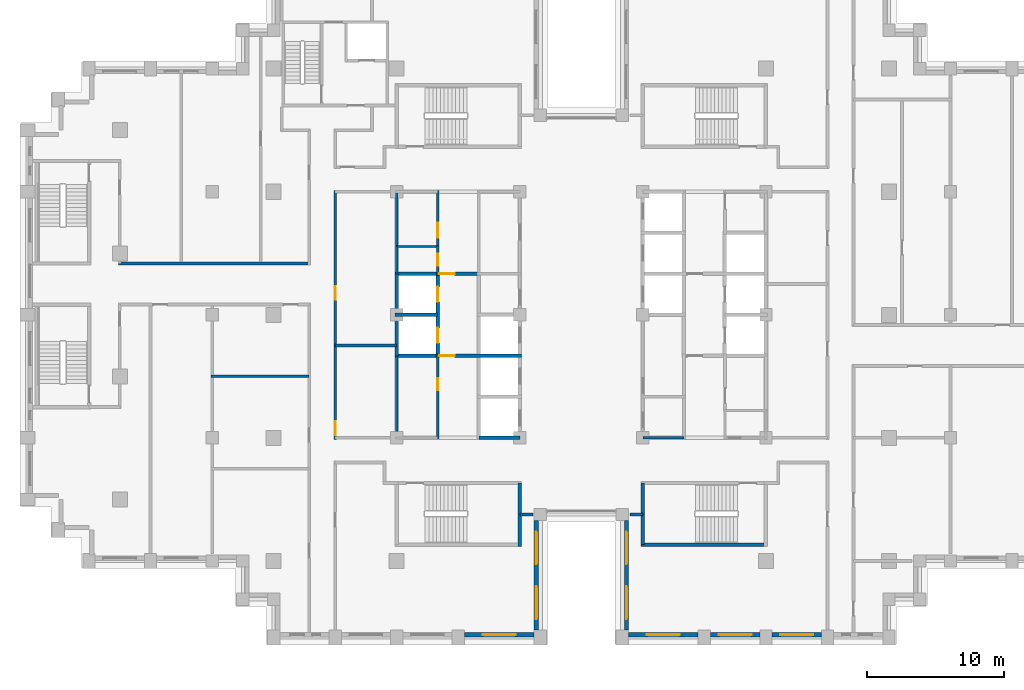
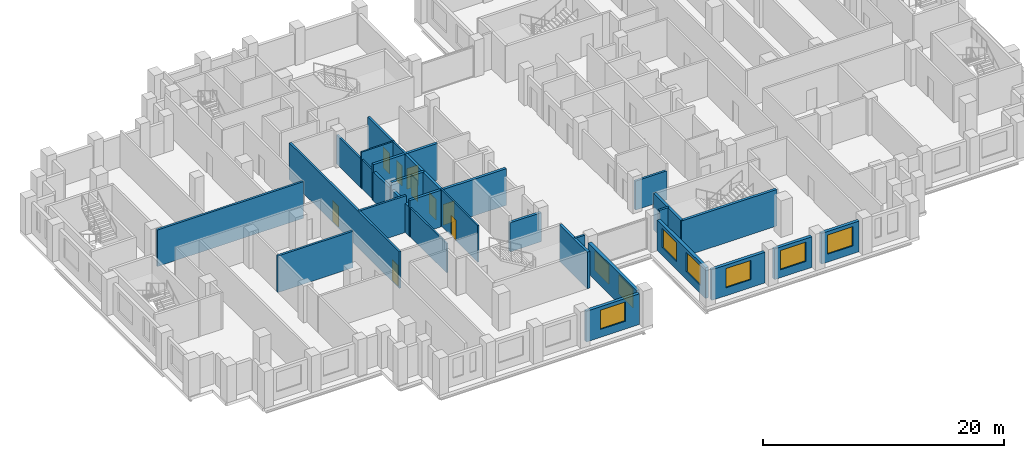
# One storey, part 7 of 16: 29 walls, 9 doors, 8 windows, 17 openings.
"""IFC4 building model written with IfcOpenShell, lengths in metres."""

from ifc_helpers import new_model, si_unit, direction, frame, frame_2d, origin, place, context, subcontext, project, spatial, rectangle, extrude, material, layer, layer_set, type_object, element, fill, save


model = new_model("IFC4")

# Units and contexts
model_context = context("Model", 3, precision=1e-05, world=origin(), true_north=direction((0.0, 1.0)))
body_context = subcontext(model_context, "Body", "Model", "MODEL_VIEW")
ifc_project = project(units=[si_unit("LENGTHUNIT", "METRE"), si_unit("AREAUNIT", "SQUARE_METRE"), si_unit("VOLUMEUNIT", "CUBIC_METRE"), si_unit("PLANEANGLEUNIT", "RADIAN"), si_unit("MASSUNIT", "GRAM", prefix="KILO")], contexts=[model_context])

# Site, building, storey
site_placement = place(None, origin())
site = spatial("IfcSite", under=ifc_project, at=site_placement, CompositionType="ELEMENT")
building_placement = place(site_placement, origin())
building = spatial("IfcBuilding", under=site, at=building_placement, Name="Corbelhall Arena Tower", CompositionType="ELEMENT")
storey_placement = place(building_placement, frame((0.0, 0.0, 158.0)))
storey = spatial("IfcBuildingStorey", under=building, at=storey_placement, Name="L31", CompositionType="ELEMENT", Elevation=158.0)

# Wall, opening, window
ifc_material_1 = material(Name="Precast concrete C40/50 with granite facing", Category="masonry")
ifc_layer_1 = layer(ifc_material_1, 0.300048828125)
ifc_layer_set_1 = layer_set([ifc_layer_1], Name="EV-IW1 Infill panel 300")
wall_type_1 = type_object("IfcWallType", Name="EV-IW1 Infill panel 300", PredefinedType="SOLIDWALL", material=ifc_layer_set_1)
wall_1_placement = place(storey_placement, frame((-8.550048828125, -23.39990234375, 0.0), z_axis=(0.0, 0.0, 1.0), x_axis=(1.0, 0.0, 0.0)))
wall_1 = element("IfcWall", 1, at=wall_1_placement, inside=storey, type_object=wall_type_1, Name="Infill panel IW1", PredefinedType="SOLIDWALL", context=body_context, shape_type="SweptSolid", body=[
    extrude(rectangle(XDim=5.10009765625, YDim=0.300048828125, at=frame_2d((2.550048828125, 0.0))), origin(), (0.0, 0.0, 1.0), 3.10009765625),
])
opening_1_placement = place(wall_1_placement, frame((1.35009765625, 0.0, 0.800048828125)))
opening_1 = element("IfcOpeningElement", 2, at=opening_1_placement, cuts=wall_1, Name="Opening WN1", PredefinedType="OPENING", context=body_context, shape_type="SweptSolid", body=[
    extrude(rectangle(XDim=2.39990234375, YDim=1.949951171875, at=frame_2d((1.199951171875, 0.97509765625))), frame((0.0, 0.14990234375, 0.0), z_axis=(0.0, -1.0, 0.0), x_axis=(1.0, 0.0, 0.0)), (0.0, 0.0, 1.0), 0.300048828125),
])
ifc_material_2 = material(Name="Aluminium black anodised", Category="aluminium")
window_type = type_object("IfcWindowType", Name="EV-WN1 Office window", PartitioningType="SINGLE_PANEL", PredefinedType="WINDOW", material=ifc_material_2)
window_1_placement = place(opening_1_placement, origin())
window_1 = element("IfcWindow", 3, at=window_1_placement, inside=storey, type_object=window_type, Name="Window WN1", OverallHeight=1.949951171875, OverallWidth=2.39990234375, PartitioningType="SINGLE_PANEL", PredefinedType="WINDOW", context=body_context, shape_type="SweptSolid", body=[
    extrude(rectangle(XDim=2.39990234375, YDim=1.949951171875, at=frame_2d((1.199951171875, 0.97509765625))), frame((0.0, 0.030029296875, 0.0), z_axis=(0.0, -1.0, 0.0), x_axis=(1.0, 0.0, 0.0)), (0.0, 0.0, 1.0), 0.06005859375),
])
fill(opening_1, window_1)

# Wall, openings, windows
wall_2_placement = place(storey_placement, frame((-3.300048828125, -23.050048828125, 0.0), z_axis=(0.0, 0.0, 1.0), x_axis=(0.0, 1.0, 0.0)))
wall_2 = element("IfcWall", 4, at=wall_2_placement, inside=storey, type_object=wall_type_1, Name="Infill panel IW1", PredefinedType="SOLIDWALL", context=body_context, shape_type="SweptSolid", body=[
    extrude(rectangle(XDim=8.0, YDim=0.300048828125, at=frame_2d((4.0, 0.0))), origin(), (0.0, 0.0, 1.0), 3.10009765625),
])
opening_2_placement = place(wall_2_placement, frame((0.800048828125, 0.0, 0.800048828125)))
opening_2 = element("IfcOpeningElement", 5, at=opening_2_placement, cuts=wall_2, Name="Opening WN1", PredefinedType="OPENING", context=body_context, shape_type="SweptSolid", body=[
    extrude(rectangle(XDim=2.39990234375, YDim=1.949951171875, at=frame_2d((1.199951171875, 0.97509765625))), frame((0.0, 0.14990234375, 0.0), z_axis=(0.0, -1.0, 0.0), x_axis=(1.0, 0.0, 0.0)), (0.0, 0.0, 1.0), 0.300048828125),
])
opening_3_placement = place(wall_2_placement, frame((4.800048828125, 0.0, 0.800048828125)))
opening_3 = element("IfcOpeningElement", 6, at=opening_3_placement, cuts=wall_2, Name="Opening WN1", PredefinedType="OPENING", context=body_context, shape_type="SweptSolid", body=[
    extrude(rectangle(XDim=2.39990234375, YDim=1.949951171875, at=frame_2d((1.199951171875, 0.97509765625))), frame((0.0, 0.14990234375, 0.0), z_axis=(0.0, -1.0, 0.0), x_axis=(1.0, 0.0, 0.0)), (0.0, 0.0, 1.0), 0.300048828125),
])
window_2_placement = place(opening_2_placement, origin())
window_2 = element("IfcWindow", 7, at=window_2_placement, inside=storey, type_object=window_type, Name="Window WN1", OverallHeight=1.949951171875, OverallWidth=2.39990234375, PartitioningType="SINGLE_PANEL", PredefinedType="WINDOW", context=body_context, shape_type="SweptSolid", body=[
    extrude(rectangle(XDim=2.39990234375, YDim=1.949951171875, at=frame_2d((1.199951171875, 0.97509765625))), frame((0.0, 0.030029296875, 0.0), z_axis=(0.0, -1.0, 0.0), x_axis=(1.0, 0.0, 0.0)), (0.0, 0.0, 1.0), 0.06005859375),
])
fill(opening_2, window_2)
window_3_placement = place(opening_3_placement, origin())
window_3 = element("IfcWindow", 8, at=window_3_placement, inside=storey, type_object=window_type, Name="Window WN1", OverallHeight=1.949951171875, OverallWidth=2.39990234375, PartitioningType="SINGLE_PANEL", PredefinedType="WINDOW", context=body_context, shape_type="SweptSolid", body=[
    extrude(rectangle(XDim=2.39990234375, YDim=1.949951171875, at=frame_2d((1.199951171875, 0.97509765625))), frame((0.0, 0.030029296875, 0.0), z_axis=(0.0, -1.0, 0.0), x_axis=(1.0, 0.0, 0.0)), (0.0, 0.0, 1.0), 0.06005859375),
])
fill(opening_3, window_3)

wall_3_placement = place(storey_placement, frame((3.300048828125, -15.050048828125, 0.0), z_axis=(0.0, 0.0, 1.0), x_axis=(0.0, -1.0, 0.0)))
wall_3 = element("IfcWall", 9, at=wall_3_placement, inside=storey, type_object=wall_type_1, Name="Infill panel IW1", PredefinedType="SOLIDWALL", context=body_context, shape_type="SweptSolid", body=[
    extrude(rectangle(XDim=8.0, YDim=0.300048828125, at=frame_2d((4.0, 0.0))), origin(), (0.0, 0.0, 1.0), 3.10009765625),
])
opening_4_placement = place(wall_3_placement, frame((0.800048828125, 0.0, 0.800048828125)))
opening_4 = element("IfcOpeningElement", 10, at=opening_4_placement, cuts=wall_3, Name="Opening WN1", PredefinedType="OPENING", context=body_context, shape_type="SweptSolid", body=[
    extrude(rectangle(XDim=2.39990234375, YDim=1.949951171875, at=frame_2d((1.199951171875, 0.97509765625))), frame((0.0, 0.14990234375, 0.0), z_axis=(0.0, -1.0, 0.0), x_axis=(1.0, 0.0, 0.0)), (0.0, 0.0, 1.0), 0.300048828125),
])
opening_5_placement = place(wall_3_placement, frame((4.800048828125, 0.0, 0.800048828125)))
opening_5 = element("IfcOpeningElement", 11, at=opening_5_placement, cuts=wall_3, Name="Opening WN1", PredefinedType="OPENING", context=body_context, shape_type="SweptSolid", body=[
    extrude(rectangle(XDim=2.39990234375, YDim=1.949951171875, at=frame_2d((1.199951171875, 0.97509765625))), frame((0.0, 0.14990234375, 0.0), z_axis=(0.0, -1.0, 0.0), x_axis=(1.0, 0.0, 0.0)), (0.0, 0.0, 1.0), 0.300048828125),
])
window_4_placement = place(opening_4_placement, origin())
window_4 = element("IfcWindow", 12, at=window_4_placement, inside=storey, type_object=window_type, Name="Window WN1", OverallHeight=1.949951171875, OverallWidth=2.39990234375, PartitioningType="SINGLE_PANEL", PredefinedType="WINDOW", context=body_context, shape_type="SweptSolid", body=[
    extrude(rectangle(XDim=2.39990234375, YDim=1.949951171875, at=frame_2d((1.199951171875, 0.97509765625))), frame((0.0, 0.030029296875, 0.0), z_axis=(0.0, -1.0, 0.0), x_axis=(1.0, 0.0, 0.0)), (0.0, 0.0, 1.0), 0.06005859375),
])
fill(opening_4, window_4)
window_5_placement = place(opening_5_placement, origin())
window_5 = element("IfcWindow", 13, at=window_5_placement, inside=storey, type_object=window_type, Name="Window WN1", OverallHeight=1.949951171875, OverallWidth=2.39990234375, PartitioningType="SINGLE_PANEL", PredefinedType="WINDOW", context=body_context, shape_type="SweptSolid", body=[
    extrude(rectangle(XDim=2.39990234375, YDim=1.949951171875, at=frame_2d((1.199951171875, 0.97509765625))), frame((0.0, 0.030029296875, 0.0), z_axis=(0.0, -1.0, 0.0), x_axis=(1.0, 0.0, 0.0)), (0.0, 0.0, 1.0), 0.06005859375),
])
fill(opening_5, window_5)

# Wall, opening, window
wall_4_placement = place(storey_placement, frame((3.449951171875, -23.39990234375, 0.0), z_axis=(0.0, 0.0, 1.0), x_axis=(1.0, 0.0, 0.0)))
wall_4 = element("IfcWall", 14, at=wall_4_placement, inside=storey, type_object=wall_type_1, Name="Infill panel IW1", PredefinedType="SOLIDWALL", context=body_context, shape_type="SweptSolid", body=[
    extrude(rectangle(XDim=5.10009765625, YDim=0.300048828125, at=frame_2d((2.550048828125, 0.0))), origin(), (0.0, 0.0, 1.0), 3.10009765625),
])
opening_6_placement = place(wall_4_placement, frame((1.35009765625, 0.0, 0.800048828125)))
opening_6 = element("IfcOpeningElement", 15, at=opening_6_placement, cuts=wall_4, Name="Opening WN1", PredefinedType="OPENING", context=body_context, shape_type="SweptSolid", body=[
    extrude(rectangle(XDim=2.39990234375, YDim=1.949951171875, at=frame_2d((1.199951171875, 0.97509765625))), frame((0.0, 0.14990234375, 0.0), z_axis=(0.0, -1.0, 0.0), x_axis=(1.0, 0.0, 0.0)), (0.0, 0.0, 1.0), 0.300048828125),
])
window_6_placement = place(opening_6_placement, origin())
window_6 = element("IfcWindow", 16, at=window_6_placement, inside=storey, type_object=window_type, Name="Window WN1", OverallHeight=1.949951171875, OverallWidth=2.39990234375, PartitioningType="SINGLE_PANEL", PredefinedType="WINDOW", context=body_context, shape_type="SweptSolid", body=[
    extrude(rectangle(XDim=2.39990234375, YDim=1.949951171875, at=frame_2d((1.199951171875, 0.97509765625))), frame((0.0, 0.030029296875, 0.0), z_axis=(0.0, -1.0, 0.0), x_axis=(1.0, 0.0, 0.0)), (0.0, 0.0, 1.0), 0.06005859375),
])
fill(opening_6, window_6)

wall_5_placement = place(storey_placement, frame((9.449951171875, -23.39990234375, 0.0), z_axis=(0.0, 0.0, 1.0), x_axis=(1.0, 0.0, 0.0)))
wall_5 = element("IfcWall", 17, at=wall_5_placement, inside=storey, type_object=wall_type_1, Name="Infill panel IW1", PredefinedType="SOLIDWALL", context=body_context, shape_type="SweptSolid", body=[
    extrude(rectangle(XDim=3.60009765625, YDim=0.300048828125, at=frame_2d((1.800048828125, 0.0))), origin(), (0.0, 0.0, 1.0), 3.10009765625),
])
opening_7_placement = place(wall_5_placement, frame((0.60009765625, 0.0, 0.800048828125)))
opening_7 = element("IfcOpeningElement", 18, at=opening_7_placement, cuts=wall_5, Name="Opening WN1", PredefinedType="OPENING", context=body_context, shape_type="SweptSolid", body=[
    extrude(rectangle(XDim=2.39990234375, YDim=1.949951171875, at=frame_2d((1.199951171875, 0.97509765625))), frame((0.0, 0.14990234375, 0.0), z_axis=(0.0, -1.0, 0.0), x_axis=(1.0, 0.0, 0.0)), (0.0, 0.0, 1.0), 0.300048828125),
])
window_7_placement = place(opening_7_placement, origin())
window_7 = element("IfcWindow", 19, at=window_7_placement, inside=storey, type_object=window_type, Name="Window WN1", OverallHeight=1.949951171875, OverallWidth=2.39990234375, PartitioningType="SINGLE_PANEL", PredefinedType="WINDOW", context=body_context, shape_type="SweptSolid", body=[
    extrude(rectangle(XDim=2.39990234375, YDim=1.949951171875, at=frame_2d((1.199951171875, 0.97509765625))), frame((0.0, 0.030029296875, 0.0), z_axis=(0.0, -1.0, 0.0), x_axis=(1.0, 0.0, 0.0)), (0.0, 0.0, 1.0), 0.06005859375),
])
fill(opening_7, window_7)

wall_6_placement = place(storey_placement, frame((13.949951171875, -23.39990234375, 0.0), z_axis=(0.0, 0.0, 1.0), x_axis=(1.0, 0.0, 0.0)))
wall_6 = element("IfcWall", 20, at=wall_6_placement, inside=storey, type_object=wall_type_1, Name="Infill panel IW1", PredefinedType="SOLIDWALL", context=body_context, shape_type="SweptSolid", body=[
    extrude(rectangle(XDim=3.60009765625, YDim=0.300048828125, at=frame_2d((1.800048828125, 0.0))), origin(), (0.0, 0.0, 1.0), 3.10009765625),
])
opening_8_placement = place(wall_6_placement, frame((0.60009765625, 0.0, 0.800048828125)))
opening_8 = element("IfcOpeningElement", 21, at=opening_8_placement, cuts=wall_6, Name="Opening WN1", PredefinedType="OPENING", context=body_context, shape_type="SweptSolid", body=[
    extrude(rectangle(XDim=2.39990234375, YDim=1.949951171875, at=frame_2d((1.199951171875, 0.97509765625))), frame((0.0, 0.14990234375, 0.0), z_axis=(0.0, -1.0, 0.0), x_axis=(1.0, 0.0, 0.0)), (0.0, 0.0, 1.0), 0.300048828125),
])
window_8_placement = place(opening_8_placement, origin())
window_8 = element("IfcWindow", 22, at=window_8_placement, inside=storey, type_object=window_type, Name="Window WN1", OverallHeight=1.949951171875, OverallWidth=2.39990234375, PartitioningType="SINGLE_PANEL", PredefinedType="WINDOW", context=body_context, shape_type="SweptSolid", body=[
    extrude(rectangle(XDim=2.39990234375, YDim=1.949951171875, at=frame_2d((1.199951171875, 0.97509765625))), frame((0.0, 0.030029296875, 0.0), z_axis=(0.0, -1.0, 0.0), x_axis=(1.0, 0.0, 0.0)), (0.0, 0.0, 1.0), 0.06005859375),
])
fill(opening_8, window_8)

# Walls
ifc_material_3 = material(Name="Gypsum board on steel stud, acoustic", Category="steel")
ifc_layer_2 = layer(ifc_material_3, 0.199951171875)
ifc_layer_set_2 = layer_set([ifc_layer_2], Name="IN-W-DM200")
wall_type_2 = type_object("IfcWallType", Name="IN-W-DM200", PredefinedType="PARTITIONING", material=ifc_layer_set_2)
wall_7_placement = place(storey_placement, frame((-33.85009765625, 3.75, 0.0), z_axis=(0.0, 0.0, 1.0), x_axis=(1.0, 0.0, 0.0)))
element("IfcWall", 23, at=wall_7_placement, inside=storey, type_object=wall_type_2, Name="Partition 002", PredefinedType="PARTITIONING", context=body_context, shape_type="SweptSolid", body=[
    extrude(rectangle(XDim=13.9501953125, YDim=0.199951171875, at=frame_2d((6.97509765625, 0.0))), origin(), (0.0, 0.0, 1.0), 3.699951171875),
])
wall_8_placement = place(storey_placement, frame((-27.10009765625, -4.5, 0.0), z_axis=(0.0, 0.0, 1.0), x_axis=(1.0, 0.0, 0.0)))
element("IfcWall", 24, at=wall_8_placement, inside=storey, type_object=wall_type_2, Name="Partition 010", PredefinedType="PARTITIONING", context=body_context, shape_type="SweptSolid", body=[
    extrude(rectangle(XDim=7.2001953125, YDim=0.199951171875, at=frame_2d((3.60009765625, 0.0))), origin(), (0.0, 0.0, 1.0), 3.699951171875),
])
wall_9_placement = place(storey_placement, frame((-18.0, -2.25, 0.0), z_axis=(0.0, 0.0, 1.0), x_axis=(1.0, 0.0, 0.0)))
element("IfcWall", 25, at=wall_9_placement, inside=storey, type_object=wall_type_2, Name="Partition 020", PredefinedType="PARTITIONING", context=body_context, shape_type="SweptSolid", body=[
    extrude(rectangle(XDim=4.5, YDim=0.199951171875, at=frame_2d((2.25, 0.0))), origin(), (0.0, 0.0, 1.0), 3.699951171875),
])

# Wall, openings, doors
wall_10_placement = place(storey_placement, frame((-18.0, 9.10009765625, 0.0), z_axis=(0.0, 0.0, 1.0), x_axis=(0.0, -1.0, 0.0)))
wall_10 = element("IfcWall", 26, at=wall_10_placement, inside=storey, type_object=wall_type_2, Name="Partition 021", PredefinedType="PARTITIONING", context=body_context, shape_type="SweptSolid", body=[
    extrude(rectangle(XDim=18.2001953125, YDim=0.199951171875, at=frame_2d((9.10009765625, 0.0))), origin(), (0.0, 0.0, 1.0), 3.699951171875),
])
opening_9_placement = place(wall_10_placement, frame((16.89990234375, 0.0, 0.0)))
opening_9 = element("IfcOpeningElement", 27, at=opening_9_placement, cuts=wall_10, Name="Opening 08023", PredefinedType="OPENING", context=body_context, shape_type="SweptSolid", body=[
    extrude(rectangle(XDim=1.0, YDim=2.10009765625, at=frame_2d((0.5, 1.050048828125))), frame((0.0, 0.10009765625, 0.0), z_axis=(0.0, -1.0, 0.0), x_axis=(1.0, 0.0, 0.0)), (0.0, 0.0, 1.0), 0.199951171875),
])
opening_10_placement = place(wall_10_placement, frame((7.0, 0.0, 0.0)))
opening_10 = element("IfcOpeningElement", 28, at=opening_10_placement, cuts=wall_10, Name="Opening 08024", PredefinedType="OPENING", context=body_context, shape_type="SweptSolid", body=[
    extrude(rectangle(XDim=1.0, YDim=2.10009765625, at=frame_2d((0.5, 1.050048828125))), frame((0.0, 0.10009765625, 0.0), z_axis=(0.0, -1.0, 0.0), x_axis=(1.0, 0.0, 0.0)), (0.0, 0.0, 1.0), 0.199951171875),
])
ifc_material_4 = material(Name="Steel door set", Category="steel")
door_type_1 = type_object("IfcDoorType", Name="IN-D-SW100", OperationType="NOTDEFINED", PredefinedType="DOOR", material=ifc_material_4)
door_1_placement = place(opening_9_placement, origin())
door_1 = element("IfcDoor", 29, at=door_1_placement, inside=storey, type_object=door_type_1, Name="Door 023", OperationType="SINGLE_SWING_RIGHT", OverallHeight=2.10009765625, OverallWidth=1.0, PredefinedType="DOOR", context=body_context, shape_type="SweptSolid", body=[
    extrude(rectangle(XDim=1.0, YDim=2.10009765625, at=frame_2d((0.5, 1.050048828125))), frame((0.0, 0.02490234375, 0.0), z_axis=(0.0, -1.0, 0.0), x_axis=(1.0, 0.0, 0.0)), (0.0, 0.0, 1.0), 0.050048828125),
])
fill(opening_9, door_1)
door_2_placement = place(opening_10_placement, origin())
door_2 = element("IfcDoor", 30, at=door_2_placement, inside=storey, type_object=door_type_1, Name="Door 024", OperationType="SINGLE_SWING_LEFT", OverallHeight=2.10009765625, OverallWidth=1.0, PredefinedType="DOOR", context=body_context, shape_type="SweptSolid", body=[
    extrude(rectangle(XDim=1.0, YDim=2.10009765625, at=frame_2d((0.5, 1.050048828125))), frame((0.0, 0.02490234375, 0.0), z_axis=(0.0, -1.0, 0.0), x_axis=(1.0, 0.0, 0.0)), (0.0, 0.0, 1.0), 0.050048828125),
])
fill(opening_10, door_2)

# Walls
for number, where, z_axis, x_axis, name in (
    (31, (-3.550048828125, -14.60009765625, 0.0), (0.0, 0.0, 1.0), (-1.0, 0.0, 0.0), "Partition 034"),
    (32, (4.5, -14.60009765625, 0.0), (0.0, 0.0, 1.0), (-1.0, 0.0, 0.0), "Partition 036"),
):
    element("IfcWall", number, at=place(storey_placement, frame(where, z_axis=z_axis, x_axis=x_axis)), inside=storey, type_object=wall_type_2, Name=name, PredefinedType="PARTITIONING", context=body_context, shape_type="SweptSolid", body=[
        extrude(rectangle(XDim=0.949951171875, YDim=0.199951171875, at=frame_2d((0.47509765625, 0.0))), origin(), (0.0, 0.0, 1.0), 3.699951171875),
    ])

# Wall, opening, door
ifc_material_5 = material(Name="Concrete block wall", Category="concrete")
ifc_layer_3 = layer(ifc_material_5, 0.199951171875)
ifc_layer_set_3 = layer_set([ifc_layer_3], Name="IN-W-RS200")
wall_type_3 = type_object("IfcWallType", Name="IN-W-RS200", PredefinedType="SOLIDWALL", material=ifc_layer_set_3)
wall_11_placement = place(storey_placement, frame((-10.5, 4.925048828125, 0.0), z_axis=(0.0, 0.0, 1.0), x_axis=(0.0, 1.0, 0.0)))
wall_11 = element("IfcWall", 33, at=wall_11_placement, inside=storey, type_object=wall_type_3, Name="Partition 066", PredefinedType="SOLIDWALL", context=body_context, shape_type="SweptSolid", body=[
    extrude(rectangle(XDim=4.175048828125, YDim=0.199951171875, at=frame_2d((2.08740234375, 0.0))), origin(), (0.0, 0.0, 1.0), 3.699951171875),
])
opening_11_placement = place(wall_11_placement, frame((0.699951171875, 0.0, 0.0)))
opening_11 = element("IfcOpeningElement", 34, at=opening_11_placement, cuts=wall_11, Name="Opening 08007", PredefinedType="OPENING", context=body_context, shape_type="SweptSolid", body=[
    extrude(rectangle(XDim=1.10009765625, YDim=2.10009765625, at=frame_2d((0.550048828125, 1.050048828125))), frame((0.0, 0.10009765625, 0.0), z_axis=(0.0, -1.0, 0.0), x_axis=(1.0, 0.0, 0.0)), (0.0, 0.0, 1.0), 0.199951171875),
])
door_type_2 = type_object("IfcDoorType", Name="IN-D-FD110", OperationType="NOTDEFINED", PredefinedType="DOOR", material=ifc_material_4)
door_3_placement = place(opening_11_placement, origin())
door_3 = element("IfcDoor", 35, at=door_3_placement, inside=storey, type_object=door_type_2, Name="Door 007", OperationType="SINGLE_SWING_RIGHT", OverallHeight=2.10009765625, OverallWidth=1.10009765625, PredefinedType="DOOR", context=body_context, shape_type="SweptSolid", body=[
    extrude(rectangle(XDim=1.10009765625, YDim=2.10009765625, at=frame_2d((0.550048828125, 1.050048828125))), frame((0.0, 0.02490234375, 0.0), z_axis=(0.0, -1.0, 0.0), x_axis=(1.0, 0.0, 0.0)), (0.0, 0.0, 1.0), 0.050048828125),
])
fill(opening_11, door_3)

# Walls
ifc_layer_4 = layer(ifc_material_5, 0.199951171875)
ifc_layer_set_4 = layer_set([ifc_layer_4], Name="IN-W-RS200 under beam 762 mm")
wall_type_4 = type_object("IfcWallType", Name="IN-W-RS200 under beam 762 mm", PredefinedType="SOLIDWALL", material=ifc_layer_set_4)
wall_12_placement = place(storey_placement, frame((-13.5, 5.0, 0.0), z_axis=(0.0, 0.0, 1.0), x_axis=(0.0, 1.0, 0.0)))
element("IfcWall", 36, at=wall_12_placement, inside=storey, type_object=wall_type_4, Name="Partition 065", PredefinedType="SOLIDWALL", context=body_context, shape_type="SweptSolid", body=[
    extrude(rectangle(XDim=4.10009765625, YDim=0.199951171875, at=frame_2d((2.050048828125, 0.0))), origin(), (0.0, 0.0, 1.0), 2.93798828125),
])
wall_13_placement = place(storey_placement, frame((7.5, -9.0, 0.0), z_axis=(0.0, 0.0, 1.0), x_axis=(-1.0, 0.0, 0.0)))
element("IfcWall", 37, at=wall_13_placement, inside=storey, type_object=wall_type_4, Name="Partition 073", PredefinedType="SOLIDWALL", context=body_context, shape_type="SweptSolid", body=[
    extrude(rectangle(XDim=3.0, YDim=0.199951171875, at=frame_2d((1.5, 0.0))), origin(), (0.0, 0.0, 1.0), 2.93798828125),
])
ifc_material_6 = material(Name="Concrete C40/50", Category="concrete")
ifc_layer_5 = layer(ifc_material_6, 0.25)
ifc_layer_set_5 = layer_set([ifc_layer_5], Name="IN-W-SH250")
wall_type_5 = type_object("IfcWallType", Name="IN-W-SH250", PredefinedType="SOLIDWALL", material=ifc_layer_set_5)
wall_14_placement = place(storey_placement, frame((-13.625, 0.0, 0.0), z_axis=(0.0, 0.0, 1.0), x_axis=(1.0, 0.0, 0.0)))
element("IfcWall", 38, at=wall_14_placement, inside=storey, type_object=wall_type_5, Name="Shaft wall 080", PredefinedType="SOLIDWALL", context=body_context, shape_type="SweptSolid", body=[
    extrude(rectangle(XDim=3.125, YDim=0.25, at=frame_2d((1.5625, 0.0))), origin(), (0.0, 0.0, 1.0), 3.699951171875),
])

# Wall, opening, door
wall_15_placement = place(storey_placement, frame((-13.625, 3.0, 0.0), z_axis=(0.0, 0.0, 1.0), x_axis=(1.0, 0.0, 0.0)))
wall_15 = element("IfcWall", 39, at=wall_15_placement, inside=storey, type_object=wall_type_5, Name="Shaft wall 081", PredefinedType="SOLIDWALL", context=body_context, shape_type="SweptSolid", body=[
    extrude(rectangle(XDim=6.125, YDim=0.25, at=frame_2d((3.0625, 0.0))), origin(), (0.0, 0.0, 1.0), 3.699951171875),
])
opening_12_placement = place(wall_15_placement, frame((3.25, 0.0, 0.0)))
opening_12 = element("IfcOpeningElement", 40, at=opening_12_placement, cuts=wall_15, Name="Opening 08004", PredefinedType="OPENING", context=body_context, shape_type="SweptSolid", body=[
    extrude(rectangle(XDim=1.10009765625, YDim=2.10009765625, at=frame_2d((0.550048828125, 1.050048828125))), frame((0.0, 0.125, 0.0), z_axis=(0.0, -1.0, 0.0), x_axis=(1.0, 0.0, 0.0)), (0.0, 0.0, 1.0), 0.25),
])
door_4_placement = place(opening_12_placement, origin())
door_4 = element("IfcDoor", 41, at=door_4_placement, inside=storey, type_object=door_type_2, Name="Door 004", OperationType="SINGLE_SWING_LEFT", OverallHeight=2.10009765625, OverallWidth=1.10009765625, PredefinedType="DOOR", context=body_context, shape_type="SweptSolid", body=[
    extrude(rectangle(XDim=1.10009765625, YDim=2.10009765625, at=frame_2d((0.550048828125, 1.050048828125))), frame((0.0, 0.02490234375, 0.0), z_axis=(0.0, -1.0, 0.0), x_axis=(1.0, 0.0, 0.0)), (0.0, 0.0, 1.0), 0.050048828125),
])
fill(opening_12, door_4)

wall_16_placement = place(storey_placement, frame((-13.625, -3.0, 0.0), z_axis=(0.0, 0.0, 1.0), x_axis=(1.0, 0.0, 0.0)))
wall_16 = element("IfcWall", 42, at=wall_16_placement, inside=storey, type_object=wall_type_5, Name="Shaft wall 083", PredefinedType="SOLIDWALL", context=body_context, shape_type="SweptSolid", body=[
    extrude(rectangle(XDim=9.25, YDim=0.25, at=frame_2d((4.625, 0.0))), origin(), (0.0, 0.0, 1.0), 3.699951171875),
])
opening_13_placement = place(wall_16_placement, frame((3.25, 0.0, 0.0)))
opening_13 = element("IfcOpeningElement", 43, at=opening_13_placement, cuts=wall_16, Name="Opening 08003", PredefinedType="OPENING", context=body_context, shape_type="SweptSolid", body=[
    extrude(rectangle(XDim=1.10009765625, YDim=2.10009765625, at=frame_2d((0.550048828125, 1.050048828125))), frame((0.0, 0.125, 0.0), z_axis=(0.0, -1.0, 0.0), x_axis=(1.0, 0.0, 0.0)), (0.0, 0.0, 1.0), 0.25),
])
door_5_placement = place(opening_13_placement, origin())
door_5 = element("IfcDoor", 44, at=door_5_placement, inside=storey, type_object=door_type_2, Name="Door 003", OperationType="SINGLE_SWING_RIGHT", OverallHeight=2.10009765625, OverallWidth=1.10009765625, PredefinedType="DOOR", context=body_context, shape_type="SweptSolid", body=[
    extrude(rectangle(XDim=1.10009765625, YDim=2.10009765625, at=frame_2d((0.550048828125, 1.050048828125))), frame((0.0, 0.02490234375, 0.0), z_axis=(0.0, -1.0, 0.0), x_axis=(1.0, 0.0, 0.0)), (0.0, 0.0, 1.0), 0.050048828125),
])
fill(opening_13, door_5)

# Wall, openings, doors
wall_17_placement = place(storey_placement, frame((-10.5, -3.125, 0.0), z_axis=(0.0, 0.0, 1.0), x_axis=(0.0, 1.0, 0.0)))
wall_17 = element("IfcWall", 45, at=wall_17_placement, inside=storey, type_object=wall_type_5, Name="Shaft wall 084", PredefinedType="SOLIDWALL", context=body_context, shape_type="SweptSolid", body=[
    extrude(rectangle(XDim=6.25, YDim=0.25, at=frame_2d((3.125, 0.0))), origin(), (0.0, 0.0, 1.0), 3.699951171875),
])
opening_14_placement = place(wall_17_placement, frame((1.074951171875, 0.0, 0.0)))
opening_14 = element("IfcOpeningElement", 46, at=opening_14_placement, cuts=wall_17, Name="Opening LD", PredefinedType="OPENING", context=body_context, shape_type="SweptSolid", body=[
    extrude(rectangle(XDim=1.10009765625, YDim=2.10009765625, at=frame_2d((0.550048828125, 1.050048828125))), frame((0.0, 0.125, 0.0), z_axis=(0.0, -1.0, 0.0), x_axis=(1.0, 0.0, 0.0)), (0.0, 0.0, 1.0), 0.25),
])
opening_15_placement = place(wall_17_placement, frame((4.074951171875, 0.0, 0.0)))
opening_15 = element("IfcOpeningElement", 47, at=opening_15_placement, cuts=wall_17, Name="Opening LD", PredefinedType="OPENING", context=body_context, shape_type="SweptSolid", body=[
    extrude(rectangle(XDim=1.10009765625, YDim=2.10009765625, at=frame_2d((0.550048828125, 1.050048828125))), frame((0.0, 0.125, 0.0), z_axis=(0.0, -1.0, 0.0), x_axis=(1.0, 0.0, 0.0)), (0.0, 0.0, 1.0), 0.25),
])
door_type_3 = type_object("IfcDoorType", Name="IN-D-LD110", OperationType="NOTDEFINED", PredefinedType="DOOR", material=ifc_material_4)
door_6_placement = place(opening_14_placement, origin())
door_6 = element("IfcDoor", 48, at=door_6_placement, inside=storey, type_object=door_type_3, Name="Landing door W3", OperationType="SLIDING_TO_LEFT", OverallHeight=2.10009765625, OverallWidth=1.10009765625, PredefinedType="DOOR", context=body_context, shape_type="SweptSolid", body=[
    extrude(rectangle(XDim=1.10009765625, YDim=2.10009765625, at=frame_2d((0.550048828125, 1.050048828125))), frame((0.0, 0.02490234375, 0.0), z_axis=(0.0, -1.0, 0.0), x_axis=(1.0, 0.0, 0.0)), (0.0, 0.0, 1.0), 0.050048828125),
])
fill(opening_14, door_6)
door_7_placement = place(opening_15_placement, origin())
door_7 = element("IfcDoor", 49, at=door_7_placement, inside=storey, type_object=door_type_3, Name="Landing door W4", OperationType="SLIDING_TO_LEFT", OverallHeight=2.10009765625, OverallWidth=1.10009765625, PredefinedType="DOOR", context=body_context, shape_type="SweptSolid", body=[
    extrude(rectangle(XDim=1.10009765625, YDim=2.10009765625, at=frame_2d((0.550048828125, 1.050048828125))), frame((0.0, 0.02490234375, 0.0), z_axis=(0.0, -1.0, 0.0), x_axis=(1.0, 0.0, 0.0)), (0.0, 0.0, 1.0), 0.050048828125),
])
fill(opening_15, door_7)

# Walls
ifc_layer_6 = layer(ifc_material_6, 0.25)
ifc_layer_set_6 = layer_set([ifc_layer_6], Name="IN-W-SH250 under beam 762 mm")
wall_type_6 = type_object("IfcWallType", Name="IN-W-SH250 under beam 762 mm", PredefinedType="SOLIDWALL", material=ifc_layer_set_6)
wall_18_placement = place(storey_placement, frame((-13.5, -3.0, 0.0), z_axis=(0.0, 0.0, 1.0), x_axis=(0.0, 1.0, 0.0)))
element("IfcWall", 50, at=wall_18_placement, inside=storey, type_object=wall_type_6, Name="Shaft wall 082", PredefinedType="SOLIDWALL", context=body_context, shape_type="SweptSolid", body=[
    extrude(rectangle(XDim=6.0, YDim=0.25, at=frame_2d((3.0, 0.0))), origin(), (0.0, 0.0, 1.0), 2.93798828125),
])
wall_19_placement = place(storey_placement, frame((-4.5, -9.0, 0.0), z_axis=(0.0, 0.0, 1.0), x_axis=(-1.0, 0.0, 0.0)))
element("IfcWall", 51, at=wall_19_placement, inside=storey, type_object=wall_type_6, Name="Shaft wall 088", PredefinedType="SOLIDWALL", context=body_context, shape_type="SweptSolid", body=[
    extrude(rectangle(XDim=3.0, YDim=0.25, at=frame_2d((1.5, 0.0))), origin(), (0.0, 0.0, 1.0), 2.93798828125),
])
ifc_layer_7 = layer(ifc_material_6, 0.25)
ifc_layer_set_7 = layer_set([ifc_layer_7], Name="IN-W-ST250")
wall_type_7 = type_object("IfcWallType", Name="IN-W-ST250", PredefinedType="SOLIDWALL", material=ifc_layer_set_7)
wall_20_placement = place(storey_placement, frame((-4.5, -12.300048828125, 0.0), z_axis=(0.0, 0.0, 1.0), x_axis=(0.0, -1.0, 0.0)))
element("IfcWall", 52, at=wall_20_placement, inside=storey, type_object=wall_type_7, Name="Shaft wall 112", PredefinedType="SOLIDWALL", context=body_context, shape_type="SweptSolid", body=[
    extrude(rectangle(XDim=4.625, YDim=0.25, at=frame_2d((2.3125, 0.0))), origin(), (0.0, 0.0, 1.0), 3.699951171875),
])
wall_21_placement = place(storey_placement, frame((4.5, -16.800048828125, 0.0), z_axis=(0.0, 0.0, 1.0), x_axis=(0.0, 1.0, 0.0)))
element("IfcWall", 53, at=wall_21_placement, inside=storey, type_object=wall_type_7, Name="Shaft wall 117", PredefinedType="SOLIDWALL", context=body_context, shape_type="SweptSolid", body=[
    extrude(rectangle(XDim=4.5, YDim=0.25, at=frame_2d((2.25, 0.0))), origin(), (0.0, 0.0, 1.0), 3.699951171875),
])
wall_22_placement = place(storey_placement, frame((13.5, -16.800048828125, 0.0), z_axis=(0.0, 0.0, 1.0), x_axis=(-1.0, 0.0, 0.0)))
element("IfcWall", 54, at=wall_22_placement, inside=storey, type_object=wall_type_7, Name="Shaft wall 119", PredefinedType="SOLIDWALL", context=body_context, shape_type="SweptSolid", body=[
    extrude(rectangle(XDim=9.125, YDim=0.25, at=frame_2d((4.5625, 0.0))), origin(), (0.0, 0.0, 1.0), 3.699951171875),
])
ifc_material_7 = material(Name="Gypsum board on steel stud, moisture resistant", Category="steel")
ifc_layer_8 = layer(ifc_material_7, 0.14990234375)
ifc_layer_set_8 = layer_set([ifc_layer_8], Name="IN-W-WC150")
wall_type_8 = type_object("IfcWallType", Name="IN-W-WC150", PredefinedType="PARTITIONING", material=ifc_layer_set_8)
wall_23_placement = place(storey_placement, frame((-13.60009765625, 5.0, 0.0), z_axis=(0.0, 0.0, 1.0), x_axis=(1.0, 0.0, 0.0)))
element("IfcWall", 55, at=wall_23_placement, inside=storey, type_object=wall_type_8, Name="Partition 129", PredefinedType="PARTITIONING", context=body_context, shape_type="SweptSolid", body=[
    extrude(rectangle(XDim=3.10009765625, YDim=0.14990234375, at=frame_2d((1.550048828125, 0.0))), origin(), (0.0, 0.0, 1.0), 3.699951171875),
])

# Wall, opening, door
wall_24_placement = place(storey_placement, frame((-10.5, -9.074951171875, 0.0), z_axis=(0.0, 0.0, 1.0), x_axis=(0.0, 1.0, 0.0)))
wall_24 = element("IfcWall", 56, at=wall_24_placement, inside=storey, type_object=wall_type_8, Name="Partition 132", PredefinedType="PARTITIONING", context=body_context, shape_type="SweptSolid", body=[
    extrude(rectangle(XDim=6.199951171875, YDim=0.14990234375, at=frame_2d((3.10009765625, 0.0))), origin(), (0.0, 0.0, 1.0), 3.699951171875),
])
opening_16_placement = place(wall_24_placement, frame((3.550048828125, 0.0, 0.0)))
opening_16 = element("IfcOpeningElement", 57, at=opening_16_placement, cuts=wall_24, Name="Opening 08005", PredefinedType="OPENING", context=body_context, shape_type="SweptSolid", body=[
    extrude(rectangle(XDim=0.89990234375, YDim=2.10009765625, at=frame_2d((0.449951171875, 1.050048828125))), frame((0.0, 0.074951171875, 0.0), z_axis=(0.0, -1.0, 0.0), x_axis=(1.0, 0.0, 0.0)), (0.0, 0.0, 1.0), 0.14990234375),
])
ifc_material_8 = material(Name="Timber door set", Category="wood")
door_type_4 = type_object("IfcDoorType", Name="IN-D-SW90", OperationType="NOTDEFINED", PredefinedType="DOOR", material=ifc_material_8)
door_8_placement = place(opening_16_placement, origin())
door_8 = element("IfcDoor", 58, at=door_8_placement, inside=storey, type_object=door_type_4, Name="Door 005", OperationType="SINGLE_SWING_RIGHT", OverallHeight=2.10009765625, OverallWidth=0.89990234375, PredefinedType="DOOR", context=body_context, shape_type="SweptSolid", body=[
    extrude(rectangle(XDim=0.89990234375, YDim=2.10009765625, at=frame_2d((0.449951171875, 1.050048828125))), frame((0.0, 0.02490234375, 0.0), z_axis=(0.0, -1.0, 0.0), x_axis=(1.0, 0.0, 0.0)), (0.0, 0.0, 1.0), 0.050048828125),
])
fill(opening_16, door_8)

wall_25_placement = place(storey_placement, frame((-10.5, 2.875, 0.0), z_axis=(0.0, 0.0, 1.0), x_axis=(0.0, 1.0, 0.0)))
wall_25 = element("IfcWall", 59, at=wall_25_placement, inside=storey, type_object=wall_type_8, Name="Partition 134", PredefinedType="PARTITIONING", context=body_context, shape_type="SweptSolid", body=[
    extrude(rectangle(XDim=2.199951171875, YDim=0.14990234375, at=frame_2d((1.10009765625, 0.0))), origin(), (0.0, 0.0, 1.0), 3.699951171875),
])
opening_17_placement = place(wall_25_placement, frame((0.699951171875, 0.0, 0.0)))
opening_17 = element("IfcOpeningElement", 60, at=opening_17_placement, cuts=wall_25, Name="Opening 08006", PredefinedType="OPENING", context=body_context, shape_type="SweptSolid", body=[
    extrude(rectangle(XDim=0.89990234375, YDim=2.10009765625, at=frame_2d((0.449951171875, 1.050048828125))), frame((0.0, 0.074951171875, 0.0), z_axis=(0.0, -1.0, 0.0), x_axis=(1.0, 0.0, 0.0)), (0.0, 0.0, 1.0), 0.14990234375),
])
door_9_placement = place(opening_17_placement, origin())
door_9 = element("IfcDoor", 61, at=door_9_placement, inside=storey, type_object=door_type_4, Name="Door 006", OperationType="SINGLE_SWING_LEFT", OverallHeight=2.10009765625, OverallWidth=0.89990234375, PredefinedType="DOOR", context=body_context, shape_type="SweptSolid", body=[
    extrude(rectangle(XDim=0.89990234375, YDim=2.10009765625, at=frame_2d((0.449951171875, 1.050048828125))), frame((0.0, 0.02490234375, 0.0), z_axis=(0.0, -1.0, 0.0), x_axis=(1.0, 0.0, 0.0)), (0.0, 0.0, 1.0), 0.050048828125),
])
fill(opening_17, door_9)

# Walls
ifc_layer_9 = layer(ifc_material_7, 0.14990234375)
ifc_layer_set_9 = layer_set([ifc_layer_9], Name="IN-W-WC150 under beam 762 mm")
wall_type_9 = type_object("IfcWallType", Name="IN-W-WC150 under beam 762 mm", PredefinedType="PARTITIONING", material=ifc_layer_set_9)
wall_26_placement = place(storey_placement, frame((-13.5, -9.10009765625, 0.0), z_axis=(0.0, 0.0, 1.0), x_axis=(0.0, 1.0, 0.0)))
element("IfcWall", 62, at=wall_26_placement, inside=storey, type_object=wall_type_9, Name="Partition 130", PredefinedType="PARTITIONING", context=body_context, shape_type="SweptSolid", body=[
    extrude(rectangle(XDim=6.10009765625, YDim=0.14990234375, at=frame_2d((3.050048828125, 0.0))), origin(), (0.0, 0.0, 1.0), 2.93798828125),
])
wall_27_placement = place(storey_placement, frame((-13.5, 3.0, 0.0), z_axis=(0.0, 0.0, 1.0), x_axis=(0.0, 1.0, 0.0)))
element("IfcWall", 63, at=wall_27_placement, inside=storey, type_object=wall_type_9, Name="Partition 131", PredefinedType="PARTITIONING", context=body_context, shape_type="SweptSolid", body=[
    extrude(rectangle(XDim=2.0, YDim=0.14990234375, at=frame_2d((1.0, 0.0))), origin(), (0.0, 0.0, 1.0), 2.93798828125),
])

save(model, "model.ifc")
